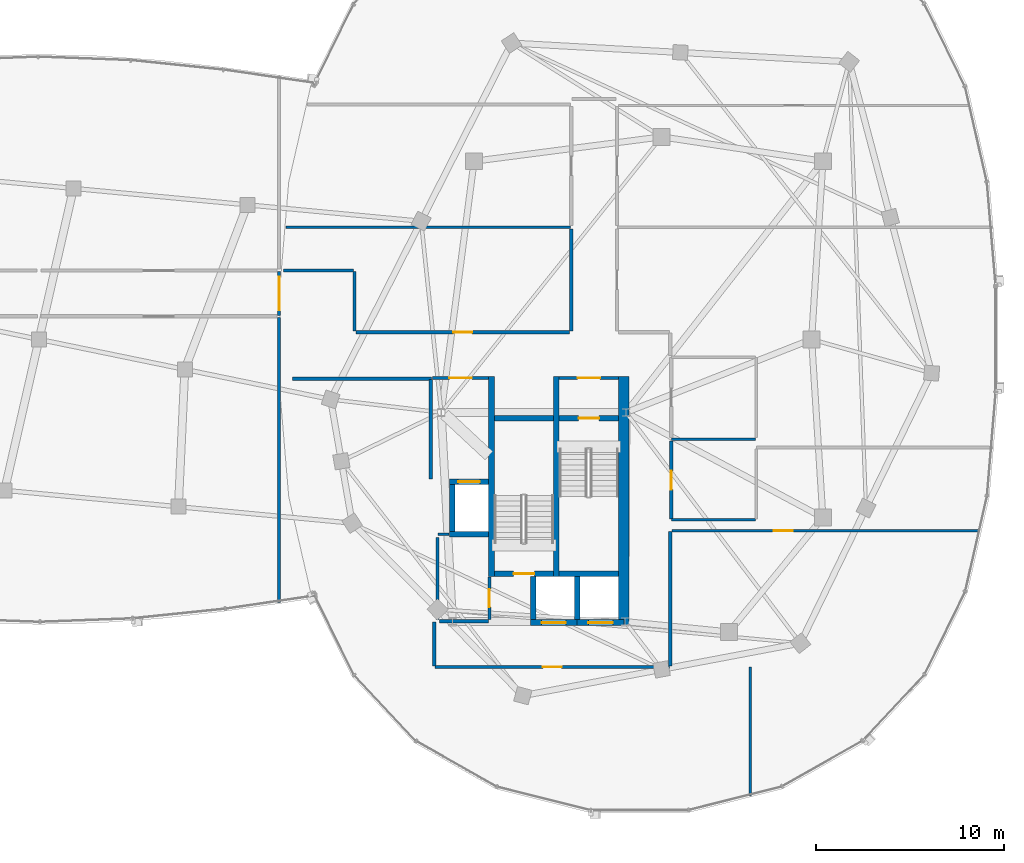
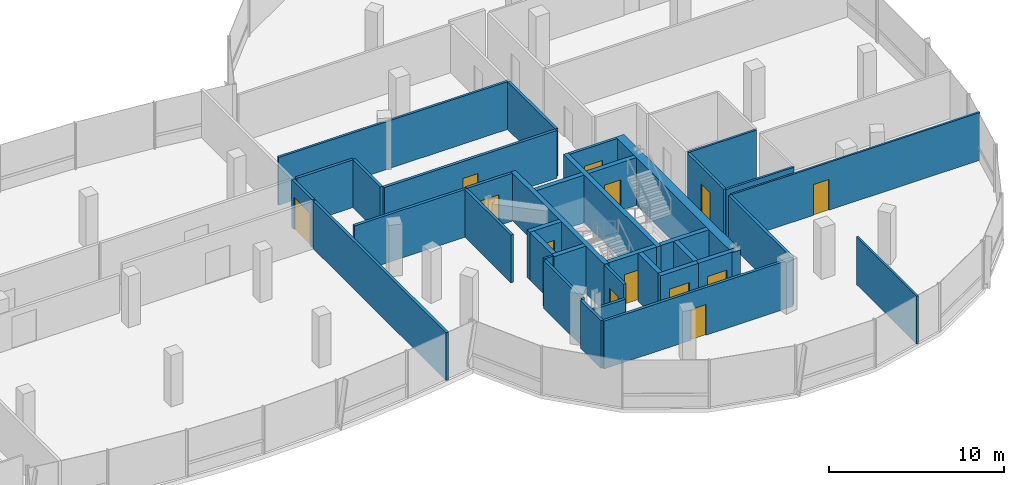
# One storey, part 16 of 25: 37 walls, 13 doors, 13 openings.
"""IFC4 building model written with IfcOpenShell, lengths in metres."""

from ifc_helpers import new_model, si_unit, direction, frame, frame_2d, origin, place, context, subcontext, project, spatial, rectangle, extrude, material, layer, layer_set, type_object, element, fill, save


model = new_model("IFC4")

# Units and contexts
model_context = context("Model", 3, precision=1e-05, world=origin(), true_north=direction((0.0, 1.0)))
body_context = subcontext(model_context, "Body", "Model", "MODEL_VIEW")
ifc_project = project(units=[si_unit("LENGTHUNIT", "METRE"), si_unit("AREAUNIT", "SQUARE_METRE"), si_unit("VOLUMEUNIT", "CUBIC_METRE"), si_unit("PLANEANGLEUNIT", "RADIAN"), si_unit("MASSUNIT", "GRAM", prefix="KILO"), si_unit("THERMODYNAMICTEMPERATUREUNIT", "KELVIN"), si_unit("POWERUNIT", "WATT")], contexts=[model_context])

# Site, building, storey
site_placement = place(None, origin())
site = spatial("IfcSite", under=ifc_project, at=site_placement, CompositionType="ELEMENT")
building_placement = place(site_placement, origin())
building = spatial("IfcBuilding", under=site, at=building_placement, Name="Cundina Bronze Exchange", CompositionType="ELEMENT")
storey_placement = place(building_placement, frame((0.0, 0.0, 250.39990234375)))
storey = spatial("IfcBuildingStorey", under=building, at=storey_placement, Name="L66", CompositionType="ELEMENT", Elevation=250.39990234375)

# Wall
ifc_material_1 = material(Name="Gypsum Fireboard Partition EI120")
ifc_layer_1 = layer(ifc_material_1, 0.179931640625, Name="Gypsum Fireboard Partition EI120")
ifc_layer_set_1 = layer_set([ifc_layer_1], Name="Gypsum Fireboard Partition EI120")
wall_type_1 = type_object("IfcWallType", Name="WL-COR-180", PredefinedType="PARTITIONING", material=ifc_layer_set_1)
wall_1_placement = place(storey_placement, frame((20.889892578125, -7.449951171875, 0.0), z_axis=(0.0, 0.0, 1.0), x_axis=(0.0, 1.0, 0.0)))
element("IfcWall", 1, at=wall_1_placement, inside=storey, type_object=wall_type_1, Name="L66 E Firefighting Lobby Side Wall", PredefinedType="PARTITIONING", context=body_context, shape_type="SweptSolid", body=[
    extrude(rectangle(XDim=5.300048828125, YDim=0.179931640625, at=frame_2d((2.64990234375, 0.0))), origin(), (0.0, 0.0, 1.0), 3.340087890625),
])

# Wall, opening, door
wall_2_placement = place(storey_placement, frame((20.97998046875, -2.06005859375, 0.0), z_axis=(0.0, 0.0, 1.0), x_axis=(1.0, 0.0, 0.0)))
wall_2 = element("IfcWall", 2, at=wall_2_placement, inside=storey, type_object=wall_type_1, Name="L66 E Firefighting Lobby Exit Wall", PredefinedType="PARTITIONING", context=body_context, shape_type="SweptSolid", body=[
    extrude(rectangle(XDim=3.0, YDim=0.179931640625, at=frame_2d((1.5, 0.0))), origin(), (0.0, 0.0, 1.0), 3.340087890625),
])
opening_1_placement = place(wall_2_placement, frame((0.89990234375, 0.0, 0.0)))
opening_1 = element("IfcOpeningElement", 3, at=opening_1_placement, cuts=wall_2, Name="Opening DF-01", PredefinedType="OPENING", context=body_context, shape_type="SweptSolid", body=[
    extrude(rectangle(XDim=1.199951171875, YDim=2.14990234375, at=frame_2d((0.60009765625, 1.074951171875))), frame((0.0, 0.099853515625, 0.0), z_axis=(0.0, -1.0, 0.0), x_axis=(1.0, 0.0, 0.0)), (0.0, 0.0, 1.0), 0.199951171875),
])
ifc_material_2 = material(Name="Steel ASTM A36 Painted", Category="steel")
door_type_1 = type_object("IfcDoorType", Name="DR-FFL-1200", OperationType="NOTDEFINED", PredefinedType="DOOR", material=ifc_material_2)
door_1_placement = place(opening_1_placement, origin())
door_1 = element("IfcDoor", 4, at=door_1_placement, inside=storey, type_object=door_type_1, Name="L66 E Firefighting Lobby Door", OperationType="SINGLE_SWING_LEFT", OverallHeight=2.14990234375, OverallWidth=1.199951171875, PredefinedType="DOOR", context=body_context, shape_type="SweptSolid", body=[
    extrude(rectangle(XDim=1.199951171875, YDim=2.14990234375, at=frame_2d((0.60009765625, 1.074951171875))), frame((0.0, 0.02490234375, 0.0), z_axis=(0.0, -1.0, 0.0), x_axis=(1.0, 0.0, 0.0)), (0.0, 0.0, 1.0), 0.050048828125),
])
fill(opening_1, door_1)

wall_3_placement = place(storey_placement, frame((27.739990234375, -2.06005859375, 0.0), z_axis=(0.0, 0.0, 1.0), x_axis=(1.0, 0.0, 0.0)))
wall_3 = element("IfcWall", 5, at=wall_3_placement, inside=storey, type_object=wall_type_1, Name="L66 E Stair Vestibule Exit Wall", PredefinedType="PARTITIONING", context=body_context, shape_type="SweptSolid", body=[
    extrude(rectangle(XDim=3.159912109375, YDim=0.179931640625, at=frame_2d((1.580078125, 0.0))), origin(), (0.0, 0.0, 1.0), 3.340087890625),
])
opening_2_placement = place(wall_3_placement, frame((0.97998046875, 0.0, 0.0)))
opening_2 = element("IfcOpeningElement", 6, at=opening_2_placement, cuts=wall_3, Name="Opening DF-01", PredefinedType="OPENING", context=body_context, shape_type="SweptSolid", body=[
    extrude(rectangle(XDim=1.199951171875, YDim=2.14990234375, at=frame_2d((0.60009765625, 1.074951171875))), frame((0.0, 0.099853515625, 0.0), z_axis=(0.0, -1.0, 0.0), x_axis=(1.0, 0.0, 0.0)), (0.0, 0.0, 1.0), 0.199951171875),
])
door_2_placement = place(opening_2_placement, origin())
door_2 = element("IfcDoor", 7, at=door_2_placement, inside=storey, type_object=door_type_1, Name="L66 E Stair Vestibule Door", OperationType="SINGLE_SWING_RIGHT", OverallHeight=2.14990234375, OverallWidth=1.199951171875, PredefinedType="DOOR", context=body_context, shape_type="SweptSolid", body=[
    extrude(rectangle(XDim=1.199951171875, YDim=2.14990234375, at=frame_2d((0.60009765625, 1.074951171875))), frame((0.0, 0.02490234375, 0.0), z_axis=(0.0, -1.0, 0.0), x_axis=(1.0, 0.0, 0.0)), (0.0, 0.0, 1.0), 0.050048828125),
])
fill(opening_2, door_2)

# Walls
wall_4_placement = place(storey_placement, frame((21.25, -14.929931640625, 0.0), z_axis=(0.0, 0.0, 1.0), x_axis=(0.0, 1.0, 0.0)))
element("IfcWall", 8, at=wall_4_placement, inside=storey, type_object=wall_type_1, Name="L66 Interior Partition 037", PredefinedType="PARTITIONING", context=body_context, shape_type="SweptSolid", body=[
    extrude(rectangle(XDim=4.35986328125, YDim=0.179931640625, at=frame_2d((2.179931640625, 0.0))), origin(), (0.0, 0.0, 1.0), 3.340087890625),
])
wall_5_placement = place(storey_placement, frame((21.35009765625, -15.030029296875, 0.0), z_axis=(0.0, 0.0, 1.0), x_axis=(1.0, 0.0, 0.0)))
element("IfcWall", 9, at=wall_5_placement, inside=storey, type_object=wall_type_1, Name="L66 Interior Partition 038", PredefinedType="PARTITIONING", context=body_context, shape_type="SweptSolid", body=[
    extrude(rectangle(XDim=2.60986328125, YDim=0.179931640625, at=frame_2d((1.304931640625, 0.0))), origin(), (0.0, 0.0, 1.0), 2.4130859375),
])

# Wall, opening, door
wall_6_placement = place(storey_placement, frame((24.02001953125, -14.929931640625, 0.0), z_axis=(0.0, 0.0, 1.0), x_axis=(0.0, 1.0, 0.0)))
wall_6 = element("IfcWall", 10, at=wall_6_placement, inside=storey, type_object=wall_type_1, Name="L66 Interior Partition 039", PredefinedType="PARTITIONING", context=body_context, shape_type="SweptSolid", body=[
    extrude(rectangle(XDim=2.260009765625, YDim=0.179931640625, at=frame_2d((1.1298828125, 0.0))), origin(), (0.0, 0.0, 1.0), 3.340087890625),
])
opening_3_placement = place(wall_6_placement, frame((0.655029296875, 0.0, 0.0)))
opening_3 = element("IfcOpeningElement", 11, at=opening_3_placement, cuts=wall_6, Name="Opening DW-01", PredefinedType="OPENING", context=body_context, shape_type="SweptSolid", body=[
    extrude(rectangle(XDim=0.949951171875, YDim=2.10009765625, at=frame_2d((0.47509765625, 1.050048828125))), frame((0.0, 0.099853515625, 0.0), z_axis=(0.0, -1.0, 0.0), x_axis=(1.0, 0.0, 0.0)), (0.0, 0.0, 1.0), 0.199951171875),
])
ifc_material_3 = material(Name="Solid Andean Oak Timber Grade A", Category="wood")
door_type_2 = type_object("IfcDoorType", Name="DR-WC-950", OperationType="NOTDEFINED", PredefinedType="DOOR", material=ifc_material_3)
door_3_placement = place(opening_3_placement, origin())
door_3 = element("IfcDoor", 12, at=door_3_placement, inside=storey, type_object=door_type_2, Name="L66 Interior Door 039", OperationType="SINGLE_SWING_RIGHT", OverallHeight=2.10009765625, OverallWidth=0.949951171875, PredefinedType="DOOR", context=body_context, shape_type="SweptSolid", body=[
    extrude(rectangle(XDim=0.949951171875, YDim=2.10009765625, at=frame_2d((0.47509765625, 1.050048828125))), frame((0.0, 0.02490234375, 0.0), z_axis=(0.0, -1.0, 0.0), x_axis=(1.0, 0.0, 0.0)), (0.0, 0.0, 1.0), 0.050048828125),
])
fill(opening_3, door_3)

wall_7_placement = place(storey_placement, frame((33.719970703125, -9.590087890625, 0.0), z_axis=(0.0, 0.0, 1.0), x_axis=(0.0, 1.0, 0.0)))
wall_7 = element("IfcWall", 13, at=wall_7_placement, inside=storey, type_object=wall_type_1, Name="L66 Interior Partition 046", PredefinedType="PARTITIONING", context=body_context, shape_type="SweptSolid", body=[
    extrude(rectangle(XDim=4.16015625, YDim=0.179931640625, at=frame_2d((2.080078125, 0.0))), origin(), (0.0, 0.0, 1.0), 3.340087890625),
])
opening_4_placement = place(wall_7_placement, frame((1.580078125, 0.0, 0.0)))
opening_4 = element("IfcOpeningElement", 14, at=opening_4_placement, cuts=wall_7, Name="Opening DO-01", PredefinedType="OPENING", context=body_context, shape_type="SweptSolid", body=[
    extrude(rectangle(XDim=1.0, YDim=2.14990234375, at=frame_2d((0.5, 1.074951171875))), frame((0.0, 0.099853515625, 0.0), z_axis=(0.0, -1.0, 0.0), x_axis=(1.0, 0.0, 0.0)), (0.0, 0.0, 1.0), 0.199951171875),
])
door_type_3 = type_object("IfcDoorType", Name="DR-OFF-1000", OperationType="NOTDEFINED", PredefinedType="DOOR", material=ifc_material_3)
door_4_placement = place(opening_4_placement, origin())
door_4 = element("IfcDoor", 15, at=door_4_placement, inside=storey, type_object=door_type_3, Name="L66 Interior Door 046", OperationType="SINGLE_SWING_RIGHT", OverallHeight=2.14990234375, OverallWidth=1.0, PredefinedType="DOOR", context=body_context, shape_type="SweptSolid", body=[
    extrude(rectangle(XDim=1.0, YDim=2.14990234375, at=frame_2d((0.5, 1.074951171875))), frame((0.0, 0.02490234375, 0.0), z_axis=(0.0, -1.0, 0.0), x_axis=(1.0, 0.0, 0.0)), (0.0, 0.0, 1.0), 0.050048828125),
])
fill(opening_4, door_4)

wall_8_placement = place(storey_placement, frame((21.12158203125, -17.469970703125, 0.0), z_axis=(0.0, 0.0, 1.0), x_axis=(1.0, 0.0, 0.0)))
wall_8 = element("IfcWall", 16, at=wall_8_placement, inside=storey, type_object=wall_type_1, Name="L66 Interior Partition 052", PredefinedType="PARTITIONING", context=body_context, shape_type="SweptSolid", body=[
    extrude(rectangle(XDim=12.5068359375, YDim=0.179931640625, at=frame_2d((6.25341796875, 0.0))), origin(), (0.0, 0.0, 1.0), 3.340087890625),
])
opening_5_placement = place(wall_8_placement, frame((5.75341796875, 0.0, 0.0)))
opening_5 = element("IfcOpeningElement", 17, at=opening_5_placement, cuts=wall_8, Name="Opening DO-01", PredefinedType="OPENING", context=body_context, shape_type="SweptSolid", body=[
    extrude(rectangle(XDim=1.0, YDim=2.14990234375, at=frame_2d((0.5, 1.074951171875))), frame((0.0, 0.099853515625, 0.0), z_axis=(0.0, -1.0, 0.0), x_axis=(1.0, 0.0, 0.0)), (0.0, 0.0, 1.0), 0.199951171875),
])
door_5_placement = place(opening_5_placement, origin())
door_5 = element("IfcDoor", 18, at=door_5_placement, inside=storey, type_object=door_type_3, Name="L66 Interior Door 052", OperationType="SINGLE_SWING_RIGHT", OverallHeight=2.14990234375, OverallWidth=1.0, PredefinedType="DOOR", context=body_context, shape_type="SweptSolid", body=[
    extrude(rectangle(XDim=1.0, YDim=2.14990234375, at=frame_2d((0.5, 1.074951171875))), frame((0.0, 0.02490234375, 0.0), z_axis=(0.0, -1.0, 0.0), x_axis=(1.0, 0.0, 0.0)), (0.0, 0.0, 1.0), 0.050048828125),
])
fill(opening_5, door_5)

# Walls
wall_9_placement = place(storey_placement, frame((13.521484375, -2.10009765625, 0.0), z_axis=(0.0, 0.0, 1.0), x_axis=(1.0, 0.0, 0.0)))
element("IfcWall", 19, at=wall_9_placement, inside=storey, type_object=wall_type_1, Name="L66 Interior Partition 053", PredefinedType="PARTITIONING", context=body_context, shape_type="SweptSolid", body=[
    extrude(rectangle(XDim=7.3984375, YDim=0.179931640625, at=frame_2d((3.69921875, 0.0))), origin(), (0.0, 0.0, 1.0), 3.340087890625),
])
wall_10_placement = place(storey_placement, frame((33.669921875, -17.428466796875, 0.0), z_axis=(0.0, 0.0, 1.0), x_axis=(0.0, 1.0, 0.0)))
element("IfcWall", 20, at=wall_10_placement, inside=storey, type_object=wall_type_1, Name="L66 Interior Partition 054", PredefinedType="PARTITIONING", context=body_context, shape_type="SweptSolid", body=[
    extrude(rectangle(XDim=7.178466796875, YDim=0.179931640625, at=frame_2d((3.58935546875, 0.0))), origin(), (0.0, 0.0, 1.0), 3.340087890625),
])
wall_11_placement = place(storey_placement, frame((21.080078125, -15.071533203125, 0.0), z_axis=(0.0, 0.0, 1.0), x_axis=(0.0, -1.0, 0.0)))
element("IfcWall", 21, at=wall_11_placement, inside=storey, type_object=wall_type_1, Name="L66 Interior Partition 055", PredefinedType="PARTITIONING", context=body_context, shape_type="SweptSolid", body=[
    extrude(rectangle(XDim=2.35693359375, YDim=0.179931640625, at=frame_2d((1.178466796875, 0.0))), origin(), (0.0, 0.0, 1.0), 3.340087890625),
])

# Wall, opening, door
wall_12_placement = place(storey_placement, frame((28.300048828125, 0.3701171875, 0.0), z_axis=(0.0, 0.0, 1.0), x_axis=(-1.0, 0.0, 0.0)))
wall_12 = element("IfcWall", 22, at=wall_12_placement, inside=storey, type_object=wall_type_1, Name="L66 Interior Partition 059", PredefinedType="PARTITIONING", context=body_context, shape_type="SweptSolid", body=[
    extrude(rectangle(XDim=11.400146484375, YDim=0.179931640625, at=frame_2d((5.7001953125, 0.0))), origin(), (0.0, 0.0, 1.0), 3.340087890625),
])
opening_6_placement = place(wall_12_placement, frame((5.199951171875, 0.0, 0.0)))
opening_6 = element("IfcOpeningElement", 23, at=opening_6_placement, cuts=wall_12, Name="Opening DO-01", PredefinedType="OPENING", context=body_context, shape_type="SweptSolid", body=[
    extrude(rectangle(XDim=1.0, YDim=2.14990234375, at=frame_2d((0.5, 1.074951171875))), frame((0.0, 0.099853515625, 0.0), z_axis=(0.0, -1.0, 0.0), x_axis=(1.0, 0.0, 0.0)), (0.0, 0.0, 1.0), 0.199951171875),
])
door_6_placement = place(opening_6_placement, origin())
door_6 = element("IfcDoor", 24, at=door_6_placement, inside=storey, type_object=door_type_3, Name="L66 Interior Door 059", OperationType="SINGLE_SWING_RIGHT", OverallHeight=2.14990234375, OverallWidth=1.0, PredefinedType="DOOR", context=body_context, shape_type="SweptSolid", body=[
    extrude(rectangle(XDim=1.0, YDim=2.14990234375, at=frame_2d((0.5, 1.074951171875))), frame((0.0, 0.02490234375, 0.0), z_axis=(0.0, -1.0, 0.0), x_axis=(1.0, 0.0, 0.0)), (0.0, 0.0, 1.0), 0.050048828125),
])
fill(opening_6, door_6)

# Walls
wall_13_placement = place(storey_placement, frame((28.3798828125, 5.889892578125, 0.0), z_axis=(0.0, 0.0, 1.0), x_axis=(0.0, -1.0, 0.0)))
element("IfcWall", 25, at=wall_13_placement, inside=storey, type_object=wall_type_1, Name="L66 Interior Partition 060", PredefinedType="PARTITIONING", context=body_context, shape_type="SweptSolid", body=[
    extrude(rectangle(XDim=5.43994140625, YDim=0.179931640625, at=frame_2d((2.719970703125, 0.0))), origin(), (0.0, 0.0, 1.0), 3.340087890625),
])
wall_14_placement = place(storey_placement, frame((16.778564453125, 3.669921875, 0.0), z_axis=(0.0, 0.0, 1.0), x_axis=(-1.0, 0.0, 0.0)))
element("IfcWall", 26, at=wall_14_placement, inside=storey, type_object=wall_type_1, Name="L66 Interior Partition 061", PredefinedType="PARTITIONING", context=body_context, shape_type="SweptSolid", body=[
    extrude(rectangle(XDim=3.7529296875, YDim=0.179931640625, at=frame_2d((1.87646484375, 0.0))), origin(), (0.0, 0.0, 1.0), 3.340087890625),
])
wall_15_placement = place(storey_placement, frame((16.820068359375, 0.449951171875, 0.0), z_axis=(0.0, 0.0, 1.0), x_axis=(0.0, 1.0, 0.0)))
element("IfcWall", 27, at=wall_15_placement, inside=storey, type_object=wall_type_1, Name="L66 Interior Partition 062", PredefinedType="PARTITIONING", context=body_context, shape_type="SweptSolid", body=[
    extrude(rectangle(XDim=3.178466796875, YDim=0.179931640625, at=frame_2d((1.58935546875, 0.0))), origin(), (0.0, 0.0, 1.0), 3.340087890625),
])
wall_16_placement = place(storey_placement, frame((12.800048828125, -14.043701171875, 0.0), z_axis=(0.0, 0.0, 1.0), x_axis=(0.0, 1.0, 0.0)))
element("IfcWall", 28, at=wall_16_placement, inside=storey, type_object=wall_type_1, Name="L66 Interior Partition 076", PredefinedType="PARTITIONING", context=body_context, shape_type="SweptSolid", body=[
    extrude(rectangle(XDim=15.20361328125, YDim=0.179931640625, at=frame_2d((7.601806640625, 0.0))), origin(), (0.0, 0.0, 1.0), 3.340087890625),
])

# Wall, opening, door
wall_17_placement = place(storey_placement, frame((12.800048828125, 1.280029296875, 0.0), z_axis=(0.0, 0.0, 1.0), x_axis=(0.0, 1.0, 0.0)))
wall_17 = element("IfcWall", 29, at=wall_17_placement, inside=storey, type_object=wall_type_1, Name="L66 Interior Partition 078", PredefinedType="PARTITIONING", context=body_context, shape_type="SweptSolid", body=[
    extrude(rectangle(XDim=2.340087890625, YDim=0.179931640625, at=frame_2d((1.169921875, 0.0))), origin(), (0.0, 0.0, 1.0), 3.340087890625),
])
opening_7_placement = place(wall_17_placement, frame((0.27001953125, 0.0, 0.0)))
opening_7 = element("IfcOpeningElement", 30, at=opening_7_placement, cuts=wall_17, Name="Opening DB-01", PredefinedType="OPENING", context=body_context, shape_type="SweptSolid", body=[
    extrude(rectangle(XDim=1.800048828125, YDim=2.25, at=frame_2d((0.89990234375, 1.125))), frame((0.0, 0.099853515625, 0.0), z_axis=(0.0, -1.0, 0.0), x_axis=(1.0, 0.0, 0.0)), (0.0, 0.0, 1.0), 0.199951171875),
])
door_type_4 = type_object("IfcDoorType", Name="DR-BRG-1800", OperationType="NOTDEFINED", PredefinedType="DOOR", material=ifc_material_2)
door_7_placement = place(opening_7_placement, origin())
door_7 = element("IfcDoor", 31, at=door_7_placement, inside=storey, type_object=door_type_4, Name="L66 Interior Door 078", OperationType="DOUBLE_DOOR_SINGLE_SWING", OverallHeight=2.25, OverallWidth=1.800048828125, PredefinedType="DOOR", context=body_context, shape_type="SweptSolid", body=[
    extrude(rectangle(XDim=1.800048828125, YDim=2.25, at=frame_2d((0.89990234375, 1.125))), frame((0.0, 0.02490234375, 0.0), z_axis=(0.0, -1.0, 0.0), x_axis=(1.0, 0.0, 0.0)), (0.0, 0.0, 1.0), 0.050048828125),
])
fill(opening_7, door_7)

# Walls
ifc_material_4 = material(Name="Concrete C50/60", Category="concrete")
ifc_layer_2 = layer(ifc_material_4, 0.550048828125, Name="Concrete C50/60", Category="concrete")
ifc_layer_set_2 = layer_set([ifc_layer_2], Name="Concrete C50/60")
wall_type_2 = type_object("IfcWallType", Name="WL-CORE-550", PredefinedType="SHEAR", material=ifc_layer_set_2)
wall_18_placement = place(storey_placement, frame((31.175048828125, -15.300048828125, 0.0), z_axis=(0.0, 0.0, 1.0), x_axis=(0.0, 1.0, 0.0)))
element("IfcWall", 32, at=wall_18_placement, inside=storey, type_object=wall_type_2, Name="L66 E Primary Core Shear Spine Wall", PredefinedType="SHEAR", context=body_context, shape_type="SweptSolid", body=[
    extrude(rectangle(XDim=13.330078125, YDim=0.550048828125, at=frame_2d((6.6650390625, 0.0))), origin(), (0.0, 0.0, 1.0), 3.340087890625),
])
ifc_material_5 = material(Name="Gypsum Acoustic Partition EI60")
ifc_layer_3 = layer(ifc_material_5, 0.125, Name="Gypsum Acoustic Partition EI60")
ifc_layer_set_3 = layer_set([ifc_layer_3], Name="Gypsum Acoustic Partition EI60")
wall_type_3 = type_object("IfcWallType", Name="WL-OFF-125", PredefinedType="PARTITIONING", material=ifc_layer_set_3)
wall_19_placement = place(storey_placement, frame((37.919921875, -24.3603515625, 0.0), z_axis=(0.0, 0.0, 1.0), x_axis=(0.0, 1.0, 0.0)))
element("IfcWall", 33, at=wall_19_placement, inside=storey, type_object=wall_type_3, Name="L66 Interior Partition 051", PredefinedType="PARTITIONING", context=body_context, shape_type="SweptSolid", body=[
    extrude(rectangle(XDim=6.890380859375, YDim=0.125, at=frame_2d((3.4453125, 0.0))), origin(), (0.0, 0.0, 1.0), 3.340087890625),
])

# Wall, opening, door
wall_20_placement = place(storey_placement, frame((50.19140625, -10.2099609375, 0.0), z_axis=(0.0, 0.0, 1.0), x_axis=(-1.0, 0.0, 0.0)))
wall_20 = element("IfcWall", 34, at=wall_20_placement, inside=storey, type_object=wall_type_3, Name="L66 Interior Partition 066", PredefinedType="PARTITIONING", context=body_context, shape_type="SweptSolid", body=[
    extrude(rectangle(XDim=16.44140625, YDim=0.125, at=frame_2d((8.220703125, 0.0))), origin(), (0.0, 0.0, 1.0), 3.340087890625),
])
opening_8_placement = place(wall_20_placement, frame((10.000732421875, 0.0, 0.0)))
opening_8 = element("IfcOpeningElement", 35, at=opening_8_placement, cuts=wall_20, Name="Opening DO-01", PredefinedType="OPENING", context=body_context, shape_type="SweptSolid", body=[
    extrude(rectangle(XDim=1.0, YDim=2.14990234375, at=frame_2d((0.5, 1.074951171875))), frame((0.0, 0.072509765625, 0.0), z_axis=(0.0, -1.0, 0.0), x_axis=(1.0, 0.0, 0.0)), (0.0, 0.0, 1.0), 0.14501953125),
])
door_8_placement = place(opening_8_placement, origin())
door_8 = element("IfcDoor", 36, at=door_8_placement, inside=storey, type_object=door_type_3, Name="L66 Interior Door 066", OperationType="SINGLE_SWING_LEFT", OverallHeight=2.14990234375, OverallWidth=1.0, PredefinedType="DOOR", context=body_context, shape_type="SweptSolid", body=[
    extrude(rectangle(XDim=1.0, YDim=2.14990234375, at=frame_2d((0.5, 1.074951171875))), frame((0.0, 0.02490234375, 0.0), z_axis=(0.0, -1.0, 0.0), x_axis=(1.0, 0.0, 0.0)), (0.0, 0.0, 1.0), 0.050048828125),
])
fill(opening_8, door_8)

# Walls
ifc_layer_4 = layer(ifc_material_4, 0.300048828125, Name="Concrete C50/60", Category="concrete")
ifc_layer_set_4 = layer_set([ifc_layer_4], Name="Concrete C50/60")
wall_type_4 = type_object("IfcWallType", Name="WL-SHFT-300", PredefinedType="SHEAR", material=ifc_layer_set_4)
for number, where, z_axis, x_axis, name in (
    (37, (27.590087890625, -12.64990234375, 0.0), (0.0, 0.0, 1.0), (0.0, 1.0, 0.0), "L66 E Stair Shaft Dividing Shear Wall"),
    (38, (24.1298828125, -12.64990234375, 0.0), (0.0, 0.0, 1.0), (0.0, 1.0, 0.0), "L66 E Stair 2 East Shear Wall"),
):
    element("IfcWall", number, at=place(storey_placement, frame(where, z_axis=z_axis, x_axis=x_axis)), inside=storey, type_object=wall_type_4, Name=name, PredefinedType="SHEAR", context=body_context, shape_type="SweptSolid", body=[
        extrude(rectangle(XDim=10.679931640625, YDim=0.300048828125, at=frame_2d((5.33984375, 0.0))), origin(), (0.0, 0.0, 1.0), 3.340087890625),
    ])

# Wall, opening, door
wall_21_placement = place(storey_placement, frame((27.739990234375, -4.199951171875, 0.0), z_axis=(0.0, 0.0, 1.0), x_axis=(1.0, 0.0, 0.0)))
wall_21 = element("IfcWall", 39, at=wall_21_placement, inside=storey, type_object=wall_type_4, Name="L66 Stair E1 Landing Wall", PredefinedType="SHEAR", context=body_context, shape_type="SweptSolid", body=[
    extrude(rectangle(XDim=3.159912109375, YDim=0.300048828125, at=frame_2d((1.580078125, 0.0))), origin(), (0.0, 0.0, 1.0), 3.340087890625),
])
opening_9_placement = place(wall_21_placement, frame((1.030029296875, 0.0, 0.0)))
opening_9 = element("IfcOpeningElement", 40, at=opening_9_placement, cuts=wall_21, Name="Opening DS-01", PredefinedType="OPENING", context=body_context, shape_type="SweptSolid", body=[
    extrude(rectangle(XDim=1.10009765625, YDim=2.14990234375, at=frame_2d((0.550048828125, 1.074951171875))), frame((0.0, 0.159912109375, 0.0), z_axis=(0.0, -1.0, 0.0), x_axis=(1.0, 0.0, 0.0)), (0.0, 0.0, 1.0), 0.320068359375),
])
door_type_5 = type_object("IfcDoorType", Name="DR-STR-1100", OperationType="NOTDEFINED", PredefinedType="DOOR", material=ifc_material_2)
door_9_placement = place(opening_9_placement, origin())
door_9 = element("IfcDoor", 41, at=door_9_placement, inside=storey, type_object=door_type_5, Name="L66 Smokeproof Stair E1 Door", OperationType="SINGLE_SWING_LEFT", OverallHeight=2.14990234375, OverallWidth=1.10009765625, PredefinedType="DOOR", context=body_context, shape_type="SweptSolid", body=[
    extrude(rectangle(XDim=1.10009765625, YDim=2.14990234375, at=frame_2d((0.550048828125, 1.074951171875))), frame((0.0, 0.02490234375, 0.0), z_axis=(0.0, -1.0, 0.0), x_axis=(1.0, 0.0, 0.0)), (0.0, 0.0, 1.0), 0.050048828125),
])
fill(opening_9, door_9)

# Wall
wall_22_placement = place(storey_placement, frame((27.739990234375, -12.5, 0.0), z_axis=(0.0, 0.0, 1.0), x_axis=(1.0, 0.0, 0.0)))
element("IfcWall", 42, at=wall_22_placement, inside=storey, type_object=wall_type_4, Name="L66 Stair E1 Far Shaft Wall", PredefinedType="SHEAR", context=body_context, shape_type="SweptSolid", body=[
    extrude(rectangle(XDim=3.159912109375, YDim=0.300048828125, at=frame_2d((1.580078125, 0.0))), origin(), (0.0, 0.0, 1.0), 3.340087890625),
])

# Wall, opening, door
wall_23_placement = place(storey_placement, frame((24.280029296875, -12.5, 0.0), z_axis=(0.0, 0.0, 1.0), x_axis=(1.0, 0.0, 0.0)))
wall_23 = element("IfcWall", 43, at=wall_23_placement, inside=storey, type_object=wall_type_4, Name="L66 Stair E2 Landing Wall", PredefinedType="SHEAR", context=body_context, shape_type="SweptSolid", body=[
    extrude(rectangle(XDim=3.159912109375, YDim=0.300048828125, at=frame_2d((1.580078125, 0.0))), origin(), (0.0, 0.0, 1.0), 3.340087890625),
])
opening_10_placement = place(wall_23_placement, frame((1.030029296875, 0.0, 0.0)))
opening_10 = element("IfcOpeningElement", 44, at=opening_10_placement, cuts=wall_23, Name="Opening DS-01", PredefinedType="OPENING", context=body_context, shape_type="SweptSolid", body=[
    extrude(rectangle(XDim=1.10009765625, YDim=2.14990234375, at=frame_2d((0.550048828125, 1.074951171875))), frame((0.0, 0.159912109375, 0.0), z_axis=(0.0, -1.0, 0.0), x_axis=(1.0, 0.0, 0.0)), (0.0, 0.0, 1.0), 0.320068359375),
])
door_10_placement = place(opening_10_placement, origin())
door_10 = element("IfcDoor", 45, at=door_10_placement, inside=storey, type_object=door_type_5, Name="L66 Smokeproof Stair E2 Door", OperationType="SINGLE_SWING_RIGHT", OverallHeight=2.14990234375, OverallWidth=1.10009765625, PredefinedType="DOOR", context=body_context, shape_type="SweptSolid", body=[
    extrude(rectangle(XDim=1.10009765625, YDim=2.14990234375, at=frame_2d((0.550048828125, 1.074951171875))), frame((0.0, 0.02490234375, 0.0), z_axis=(0.0, -1.0, 0.0), x_axis=(1.0, 0.0, 0.0)), (0.0, 0.0, 1.0), 0.050048828125),
])
fill(opening_10, door_10)

# Wall
wall_24_placement = place(storey_placement, frame((24.280029296875, -4.199951171875, 0.0), z_axis=(0.0, 0.0, 1.0), x_axis=(1.0, 0.0, 0.0)))
element("IfcWall", 46, at=wall_24_placement, inside=storey, type_object=wall_type_4, Name="L66 Stair E2 Far Shaft Wall", PredefinedType="SHEAR", context=body_context, shape_type="SweptSolid", body=[
    extrude(rectangle(XDim=3.159912109375, YDim=0.300048828125, at=frame_2d((1.580078125, 0.0))), origin(), (0.0, 0.0, 1.0), 3.340087890625),
])

# Wall, opening, door
wall_25_placement = place(storey_placement, frame((21.8798828125, -7.60009765625, 0.0), z_axis=(0.0, 0.0, 1.0), x_axis=(1.0, 0.0, 0.0)))
wall_25 = element("IfcWall", 47, at=wall_25_placement, inside=storey, type_object=wall_type_4, Name="L66 FFL-E Hoistway Front Wall", PredefinedType="SHEAR", context=body_context, shape_type="SweptSolid", body=[
    extrude(rectangle(XDim=2.10009765625, YDim=0.300048828125, at=frame_2d((1.050048828125, 0.0))), origin(), (0.0, 0.0, 1.0), 3.340087890625),
])
opening_11_placement = place(wall_25_placement, frame((0.47509765625, 0.0, 0.0)))
opening_11 = element("IfcOpeningElement", 48, at=opening_11_placement, cuts=wall_25, Name="Opening LD-01", PredefinedType="OPENING", context=body_context, shape_type="SweptSolid", body=[
    extrude(rectangle(XDim=1.14990234375, YDim=2.199951171875, at=frame_2d((0.574951171875, 1.10009765625))), frame((0.0, 0.159912109375, 0.0), z_axis=(0.0, -1.0, 0.0), x_axis=(1.0, 0.0, 0.0)), (0.0, 0.0, 1.0), 0.320068359375),
])
door_type_6 = type_object("IfcDoorType", Name="DR-LND-1150", OperationType="NOTDEFINED", PredefinedType="TRAPDOOR", material=ifc_material_2)
door_11_placement = place(opening_11_placement, origin())
door_11 = element("IfcDoor", 49, at=door_11_placement, inside=storey, type_object=door_type_6, Name="L66 FFL-E Sliding Landing Door", OperationType="SLIDING_TO_LEFT", OverallHeight=2.199951171875, OverallWidth=1.14990234375, PredefinedType="TRAPDOOR", context=body_context, shape_type="SweptSolid", body=[
    extrude(rectangle(XDim=1.14990234375, YDim=2.199951171875, at=frame_2d((0.574951171875, 1.10009765625))), frame((0.0, 0.02490234375, 0.0), z_axis=(0.0, -1.0, 0.0), x_axis=(1.0, 0.0, 0.0)), (0.0, 0.0, 1.0), 0.050048828125),
])
fill(opening_11, door_11)

# Walls
wall_26_placement = place(storey_placement, frame((21.8798828125, -10.39990234375, 0.0), z_axis=(0.0, 0.0, 1.0), x_axis=(1.0, 0.0, 0.0)))
element("IfcWall", 50, at=wall_26_placement, inside=storey, type_object=wall_type_4, Name="L66 FFL-E Hoistway Back Wall", PredefinedType="SHEAR", context=body_context, shape_type="SweptSolid", body=[
    extrude(rectangle(XDim=2.10009765625, YDim=0.300048828125, at=frame_2d((1.050048828125, 0.0))), origin(), (0.0, 0.0, 1.0), 3.340087890625),
])
wall_27_placement = place(storey_placement, frame((22.030029296875, -10.25, 0.0), z_axis=(0.0, 0.0, 1.0), x_axis=(0.0, 1.0, 0.0)))
element("IfcWall", 51, at=wall_27_placement, inside=storey, type_object=wall_type_4, Name="L66 FFL-E Hoistway Side Wall", PredefinedType="SHEAR", context=body_context, shape_type="SweptSolid", body=[
    extrude(rectangle(XDim=2.5, YDim=0.300048828125, at=frame_2d((1.25, 0.0))), origin(), (0.0, 0.0, 1.0), 3.340087890625),
])

# Wall, opening, door
wall_28_placement = place(storey_placement, frame((28.699951171875, -15.10009765625, 0.0), z_axis=(0.0, 0.0, 1.0), x_axis=(1.0, 0.0, 0.0)))
wall_28 = element("IfcWall", 52, at=wall_28_placement, inside=storey, type_object=wall_type_4, Name="L66 PH-E1 Hoistway Front Wall", PredefinedType="SHEAR", context=body_context, shape_type="SweptSolid", body=[
    extrude(rectangle(XDim=2.5, YDim=0.300048828125, at=frame_2d((1.25, 0.0))), origin(), (0.0, 0.0, 1.0), 3.340087890625),
])
opening_12_placement = place(wall_28_placement, frame((0.60009765625, 0.0, 0.0)))
opening_12 = element("IfcOpeningElement", 53, at=opening_12_placement, cuts=wall_28, Name="Opening LD-02", PredefinedType="OPENING", context=body_context, shape_type="SweptSolid", body=[
    extrude(rectangle(XDim=1.300048828125, YDim=2.199951171875, at=frame_2d((0.64990234375, 1.10009765625))), frame((0.0, 0.159912109375, 0.0), z_axis=(0.0, -1.0, 0.0), x_axis=(1.0, 0.0, 0.0)), (0.0, 0.0, 1.0), 0.320068359375),
])
door_type_7 = type_object("IfcDoorType", Name="DR-LND-1300", OperationType="NOTDEFINED", PredefinedType="TRAPDOOR", material=ifc_material_2)
door_12_placement = place(opening_12_placement, origin())
door_12 = element("IfcDoor", 54, at=door_12_placement, inside=storey, type_object=door_type_7, Name="L66 PH-E1 Sliding Landing Door", OperationType="SLIDING_TO_LEFT", OverallHeight=2.199951171875, OverallWidth=1.300048828125, PredefinedType="TRAPDOOR", context=body_context, shape_type="SweptSolid", body=[
    extrude(rectangle(XDim=1.300048828125, YDim=2.199951171875, at=frame_2d((0.64990234375, 1.10009765625))), frame((0.0, 0.02490234375, 0.0), z_axis=(0.0, -1.0, 0.0), x_axis=(1.0, 0.0, 0.0)), (0.0, 0.0, 1.0), 0.050048828125),
])
fill(opening_12, door_12)

# Wall
wall_29_placement = place(storey_placement, frame((28.699951171875, -14.949951171875, 0.0), z_axis=(0.0, 0.0, 1.0), x_axis=(0.0, 1.0, 0.0)))
element("IfcWall", 55, at=wall_29_placement, inside=storey, type_object=wall_type_4, Name="L66 PH-E1 Hoistway Divider Wall", PredefinedType="SHEAR", context=body_context, shape_type="SweptSolid", body=[
    extrude(rectangle(XDim=2.300048828125, YDim=0.300048828125, at=frame_2d((1.14990234375, 0.0))), origin(), (0.0, 0.0, 1.0), 3.340087890625),
])

# Wall, opening, door
wall_30_placement = place(storey_placement, frame((26.199951171875, -15.10009765625, 0.0), z_axis=(0.0, 0.0, 1.0), x_axis=(1.0, 0.0, 0.0)))
wall_30 = element("IfcWall", 56, at=wall_30_placement, inside=storey, type_object=wall_type_4, Name="L66 PH-E2 Hoistway Front Wall", PredefinedType="SHEAR", context=body_context, shape_type="SweptSolid", body=[
    extrude(rectangle(XDim=2.5, YDim=0.300048828125, at=frame_2d((1.25, 0.0))), origin(), (0.0, 0.0, 1.0), 3.340087890625),
])
opening_13_placement = place(wall_30_placement, frame((0.60009765625, 0.0, 0.0)))
opening_13 = element("IfcOpeningElement", 57, at=opening_13_placement, cuts=wall_30, Name="Opening LD-02", PredefinedType="OPENING", context=body_context, shape_type="SweptSolid", body=[
    extrude(rectangle(XDim=1.300048828125, YDim=2.199951171875, at=frame_2d((0.64990234375, 1.10009765625))), frame((0.0, 0.159912109375, 0.0), z_axis=(0.0, -1.0, 0.0), x_axis=(1.0, 0.0, 0.0)), (0.0, 0.0, 1.0), 0.320068359375),
])
door_13_placement = place(opening_13_placement, origin())
door_13 = element("IfcDoor", 58, at=door_13_placement, inside=storey, type_object=door_type_7, Name="L66 PH-E2 Sliding Landing Door", OperationType="SLIDING_TO_LEFT", OverallHeight=2.199951171875, OverallWidth=1.300048828125, PredefinedType="TRAPDOOR", context=body_context, shape_type="SweptSolid", body=[
    extrude(rectangle(XDim=1.300048828125, YDim=2.199951171875, at=frame_2d((0.64990234375, 1.10009765625))), frame((0.0, 0.02490234375, 0.0), z_axis=(0.0, -1.0, 0.0), x_axis=(1.0, 0.0, 0.0)), (0.0, 0.0, 1.0), 0.050048828125),
])
fill(opening_13, door_13)

# Walls
wall_31_placement = place(storey_placement, frame((26.35009765625, -14.949951171875, 0.0), z_axis=(0.0, 0.0, 1.0), x_axis=(0.0, 1.0, 0.0)))
element("IfcWall", 59, at=wall_31_placement, inside=storey, type_object=wall_type_4, Name="L66 PH-E2 Hoistway Divider Wall", PredefinedType="SHEAR", context=body_context, shape_type="SweptSolid", body=[
    extrude(rectangle(XDim=2.300048828125, YDim=0.300048828125, at=frame_2d((1.14990234375, 0.0))), origin(), (0.0, 0.0, 1.0), 3.340087890625),
])
ifc_layer_5 = layer(ifc_material_5, 0.14990234375, Name="Gypsum Acoustic Partition EI60")
ifc_layer_set_5 = layer_set([ifc_layer_5], Name="Gypsum Acoustic Partition EI60")
wall_type_5 = type_object("IfcWallType", Name="WL-TEN-150", PredefinedType="PARTITIONING", material=ifc_layer_set_5)
wall_32_placement = place(storey_placement, frame((13.164794921875, 5.97998046875, 0.0), z_axis=(0.0, 0.0, 1.0), x_axis=(1.0, 0.0, 0.0)))
element("IfcWall", 60, at=wall_32_placement, inside=storey, type_object=wall_type_5, Name="L66 Interior Partition 047", PredefinedType="PARTITIONING", context=body_context, shape_type="SweptSolid", body=[
    extrude(rectangle(XDim=15.185302734375, YDim=0.14990234375, at=frame_2d((7.5927734375, 0.0))), origin(), (0.0, 0.0, 1.0), 3.340087890625),
])
ifc_material_6 = material(Name="Moisture-Resistant Masonry Block Grade M15", Category="masonry")
ifc_layer_6 = layer(ifc_material_6, 0.139892578125, Name="Moisture-Resistant Masonry Block Grade M15", Category="masonry")
ifc_layer_set_6 = layer_set([ifc_layer_6], Name="Moisture-Resistant Masonry Block Grade M15")
wall_type_6 = type_object("IfcWallType", Name="WL-WET-140", PredefinedType="PARTITIONING", material=ifc_layer_set_6)
wall_33_placement = place(storey_placement, frame((21.27001953125, -10.39990234375, 0.0), z_axis=(0.0, 0.0, 1.0), x_axis=(1.0, 0.0, 0.0)))
element("IfcWall", 61, at=wall_33_placement, inside=storey, type_object=wall_type_6, Name="L66 Interior Partition 036", PredefinedType="PARTITIONING", context=body_context, shape_type="SweptSolid", body=[
    extrude(rectangle(XDim=0.590087890625, YDim=0.139892578125, at=frame_2d((0.294921875, 0.0))), origin(), (0.0, 0.0, 1.0), 3.340087890625),
])
for number, where, z_axis, x_axis, name in (
    (62, (33.739990234375, -5.330078125, 0.0), (0.0, 0.0, 1.0), (1.0, 0.0, 0.0), "L66 Interior Partition 043"),
    (63, (33.739990234375, -9.610107421875, 0.0), (0.0, 0.0, 1.0), (1.0, 0.0, 0.0), "L66 Interior Partition 044"),
):
    element("IfcWall", number, at=place(storey_placement, frame(where, z_axis=z_axis, x_axis=x_axis)), inside=storey, type_object=wall_type_6, Name=name, PredefinedType="PARTITIONING", context=body_context, shape_type="SweptSolid", body=[
        extrude(rectangle(XDim=4.47998046875, YDim=0.139892578125, at=frame_2d((2.239990234375, 0.0))), origin(), (0.0, 0.0, 1.0), 3.340087890625),
    ])

save(model, "model.ifc")
